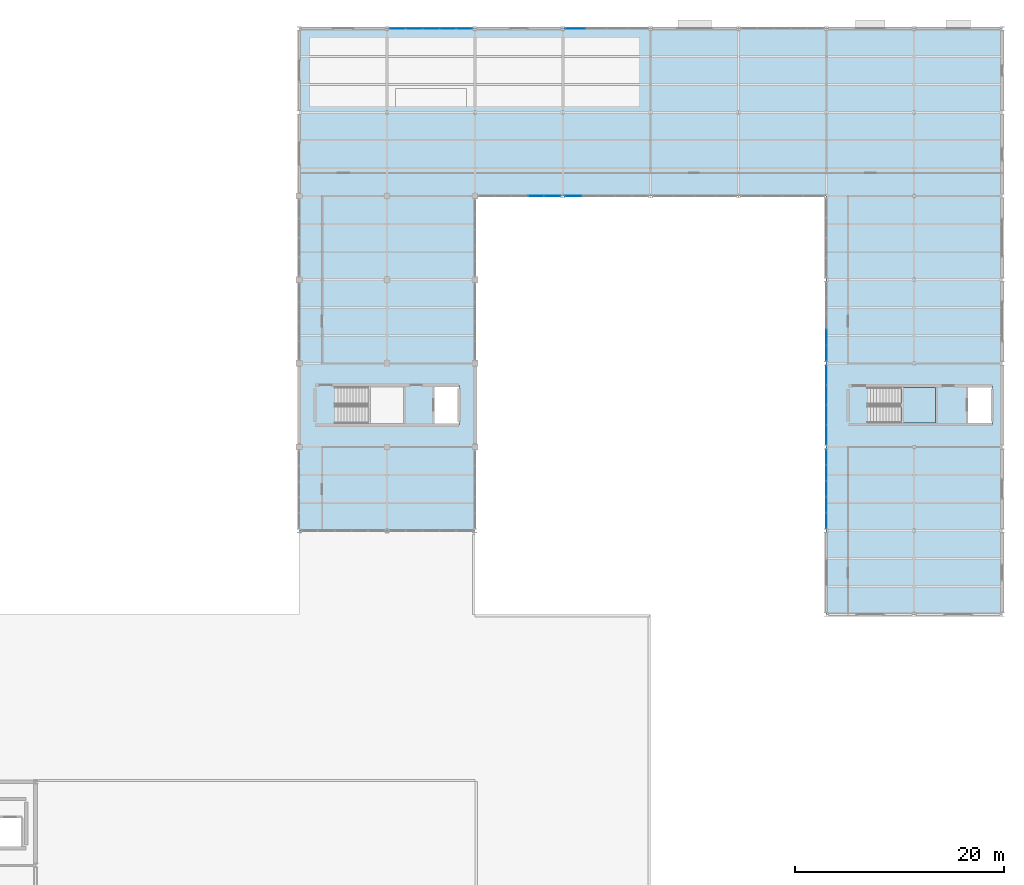
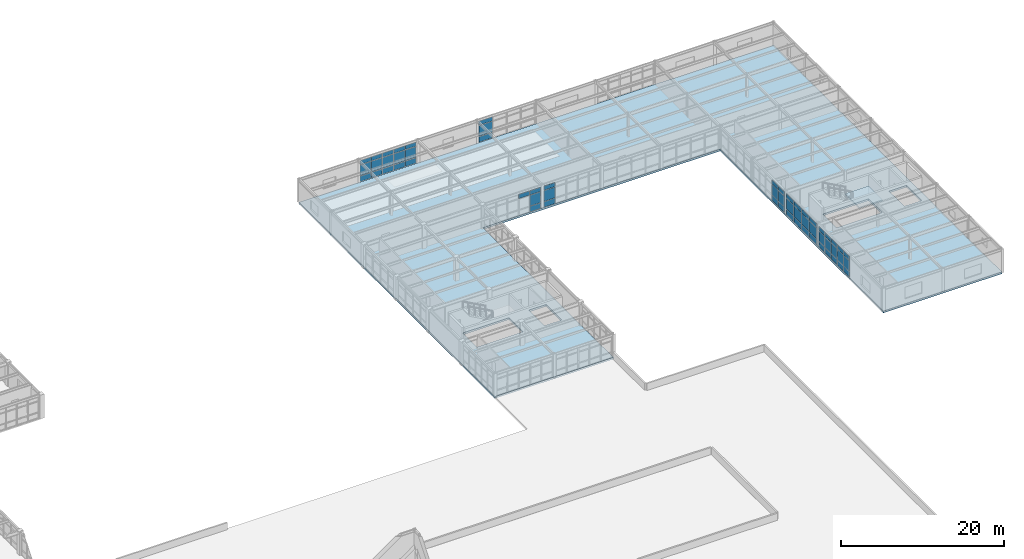
# One storey, part 42 of 96: 58 plates, 2 slabs, 8 elements without a shape of their own.
"""IFC4 building model written with IfcOpenShell, lengths in metres."""

from ifc_helpers import new_model, si_unit, direction, frame, origin, origin_2d, place, context, subcontext, project, spatial, polyline, rectangle, outline, extrude, material, layer, layer_set, type_object, element, aggregate, save


model = new_model("IFC4")

# Units and contexts
model_context = context("Model", 3, precision=1e-05, world=origin(), true_north=direction((0.0, 1.0)))
body_context = subcontext(model_context, "Body", "Model", "MODEL_VIEW")
ifc_project = project(units=[si_unit("LENGTHUNIT", "METRE"), si_unit("AREAUNIT", "SQUARE_METRE"), si_unit("VOLUMEUNIT", "CUBIC_METRE"), si_unit("PLANEANGLEUNIT", "RADIAN"), si_unit("MASSUNIT", "GRAM", prefix="KILO")], contexts=[model_context])

# Site, building, storey
site_placement = place(None, origin())
site = spatial("IfcSite", under=ifc_project, at=site_placement, CompositionType="ELEMENT")
building_placement = place(site_placement, origin())
building = spatial("IfcBuilding", under=site, at=building_placement, Name="Kranzveld Transit Interchange", CompositionType="ELEMENT")
storey_placement = place(building_placement, frame((0.0, 0.0, 9.52001953125)))
storey = spatial("IfcBuildingStorey", under=building, at=storey_placement, Name="L02", CompositionType="ELEMENT", Elevation=9.52001953125)

# Slab
ifc_material_1 = material(Name="Concrete C35/45", Category="concrete")
ifc_layer_1 = layer(ifc_material_1, 0.280029296875)
ifc_layer_set_1 = layer_set([ifc_layer_1], Name="Concrete C35/45")
slab_type_1 = type_object("IfcSlabType", Name="Composite Floor Slab 280 C35/45", PredefinedType="FLOOR", material=ifc_layer_set_1)
slab_1_placement = place(storey_placement, frame((0.0, 0.0, -0.280029296875)))
element("IfcSlab", 1, at=slab_1_placement, inside=storey, type_object=slab_type_1, Name="L02 Suspended Floor Slab 2", PredefinedType="FLOOR", context=body_context, shape_type="SweptSolid", body=[
    extrude(outline(polyline([(151.199951171875, 56.0), (151.199951171875, 96.0), (117.60009765625, 96.0), (117.60009765625, 64.0), (100.800048828125, 64.0), (100.800048828125, 112.0), (117.60009765625, 112.0), (168.0, 112.0), (168.0, 96.0), (168.0, 56.0), (151.199951171875, 56.0)]), holes=[polyline([(110.75, 74.27001953125), (110.75, 77.72998046875), (104.218017578125, 77.72998046875), (104.218017578125, 74.27001953125), (110.75, 74.27001953125)]), polyline([(116.10009765625, 77.909912109375), (113.64990234375, 77.909912109375), (113.64990234375, 74.090087890625), (116.10009765625, 74.090087890625), (116.10009765625, 77.909912109375)]), polyline([(161.64990234375, 74.320068359375), (161.64990234375, 77.679931640625), (155.16796875, 77.679931640625), (155.16796875, 74.320068359375), (161.64990234375, 74.320068359375)]), polyline([(167.10009765625, 77.860107421875), (164.64990234375, 77.860107421875), (164.64990234375, 74.139892578125), (167.10009765625, 74.139892578125), (167.10009765625, 77.860107421875)])]), origin(), (0.0, 0.0, 1.0), 0.280029296875),
])

# Curtain wall, plates
ifc_material_2 = material(Name="Bronze-anodised thermally broken aluminium", Category="aluminium")
ifc_layer_2 = layer(ifc_material_2, 0.159912109375)
ifc_layer_set_2 = layer_set([ifc_layer_2], Name="Bronze-anodised thermally broken aluminium")
curtain_wall_type_1 = type_object("IfcCurtainWallType", Name="Bus Boarding Glazed Screen CW-3", PredefinedType="USERDEFINED", material=ifc_layer_set_2)
curtain_wall_1_placement = place(storey_placement, origin())
curtain_wall_1 = element("IfcCurtainWall", 2, at=curtain_wall_1_placement, inside=storey, type_object=curtain_wall_type_1, Name="L02 Curtain Wall 19/K-19/L", ObjectType="CURTAIN WALL", PredefinedType="USERDEFINED")
ifc_material_3 = material(Name="Solar-control double glazing", Category="glass")
ifc_layer_3 = layer(ifc_material_3, 0.031982421875)
ifc_layer_set_3 = layer_set([ifc_layer_3], Name="Solar-control double glazing")
plate_type_1 = type_object("IfcPlateType", Name="Curtain Panel Acoustic Glazing 32", PredefinedType="CURTAIN_PANEL", material=ifc_layer_set_3)
plate_1_placement = place(storey_placement, frame((151.199951171875, 73.155517578125, 0.06005859375), z_axis=(0.0, 0.0, 1.0), x_axis=(0.0, 1.0, 0.0)))
plate_1 = element("IfcPlate", 3, at=plate_1_placement, type_object=plate_type_1, Name="CW-3 panel 1.1", PredefinedType="CURTAIN_PANEL", context=body_context, shape_type="SweptSolid", body=[
    extrude(rectangle(XDim=1.81640625, YDim=0.031982421875, at=origin_2d()), origin(), (0.0, 0.0, 1.0), 0.81005859375),
])
plate_2_placement = place(storey_placement, frame((151.199951171875, 73.155517578125, 0.9296875), z_axis=(0.0, 0.0, 1.0), x_axis=(0.0, 1.0, 0.0)))
plate_2 = element("IfcPlate", 4, at=plate_2_placement, type_object=plate_type_1, Name="CW-3 panel 1.2", PredefinedType="CURTAIN_PANEL", context=body_context, shape_type="SweptSolid", body=[
    extrude(rectangle(XDim=1.81640625, YDim=0.031982421875, at=origin_2d()), origin(), (0.0, 0.0, 1.0), 1.610107421875),
])
plate_3_placement = place(storey_placement, frame((151.199951171875, 73.155517578125, 2.60009765625), z_axis=(0.0, 0.0, 1.0), x_axis=(0.0, 1.0, 0.0)))
plate_3 = element("IfcPlate", 5, at=plate_3_placement, type_object=plate_type_1, Name="CW-3 panel 1.3", PredefinedType="CURTAIN_PANEL", context=body_context, shape_type="SweptSolid", body=[
    extrude(rectangle(XDim=1.81640625, YDim=0.031982421875, at=origin_2d()), origin(), (0.0, 0.0, 1.0), 0.610107421875),
])
plate_4_placement = place(storey_placement, frame((151.199951171875, 75.046875, 0.06005859375), z_axis=(0.0, 0.0, 1.0), x_axis=(0.0, 1.0, 0.0)))
plate_4 = element("IfcPlate", 6, at=plate_4_placement, type_object=plate_type_1, Name="CW-3 panel 2.1", PredefinedType="CURTAIN_PANEL", context=body_context, shape_type="SweptSolid", body=[
    extrude(rectangle(XDim=1.846435546875, YDim=0.031982421875, at=origin_2d()), origin(), (0.0, 0.0, 1.0), 0.81005859375),
])
plate_5_placement = place(storey_placement, frame((151.199951171875, 75.046875, 0.9296875), z_axis=(0.0, 0.0, 1.0), x_axis=(0.0, 1.0, 0.0)))
plate_5 = element("IfcPlate", 7, at=plate_5_placement, type_object=plate_type_1, Name="CW-3 panel 2.2", PredefinedType="CURTAIN_PANEL", context=body_context, shape_type="SweptSolid", body=[
    extrude(rectangle(XDim=1.846435546875, YDim=0.031982421875, at=origin_2d()), origin(), (0.0, 0.0, 1.0), 1.610107421875),
])
plate_6_placement = place(storey_placement, frame((151.199951171875, 75.046875, 2.60009765625), z_axis=(0.0, 0.0, 1.0), x_axis=(0.0, 1.0, 0.0)))
plate_6 = element("IfcPlate", 8, at=plate_6_placement, type_object=plate_type_1, Name="CW-3 panel 2.3", PredefinedType="CURTAIN_PANEL", context=body_context, shape_type="SweptSolid", body=[
    extrude(rectangle(XDim=1.846435546875, YDim=0.031982421875, at=origin_2d()), origin(), (0.0, 0.0, 1.0), 0.610107421875),
])
plate_7_placement = place(storey_placement, frame((151.199951171875, 76.953125, 0.06005859375), z_axis=(0.0, 0.0, 1.0), x_axis=(0.0, 1.0, 0.0)))
plate_7 = element("IfcPlate", 9, at=plate_7_placement, type_object=plate_type_1, Name="CW-3 panel 3.1", PredefinedType="CURTAIN_PANEL", context=body_context, shape_type="SweptSolid", body=[
    extrude(rectangle(XDim=1.846435546875, YDim=0.031982421875, at=origin_2d()), origin(), (0.0, 0.0, 1.0), 0.81005859375),
])
plate_8_placement = place(storey_placement, frame((151.199951171875, 76.953125, 0.9296875), z_axis=(0.0, 0.0, 1.0), x_axis=(0.0, 1.0, 0.0)))
plate_8 = element("IfcPlate", 10, at=plate_8_placement, type_object=plate_type_1, Name="CW-3 panel 3.2", PredefinedType="CURTAIN_PANEL", context=body_context, shape_type="SweptSolid", body=[
    extrude(rectangle(XDim=1.846435546875, YDim=0.031982421875, at=origin_2d()), origin(), (0.0, 0.0, 1.0), 1.610107421875),
])
plate_9_placement = place(storey_placement, frame((151.199951171875, 76.953125, 2.60009765625), z_axis=(0.0, 0.0, 1.0), x_axis=(0.0, 1.0, 0.0)))
plate_9 = element("IfcPlate", 11, at=plate_9_placement, type_object=plate_type_1, Name="CW-3 panel 3.3", PredefinedType="CURTAIN_PANEL", context=body_context, shape_type="SweptSolid", body=[
    extrude(rectangle(XDim=1.846435546875, YDim=0.031982421875, at=origin_2d()), origin(), (0.0, 0.0, 1.0), 0.610107421875),
])
plate_10_placement = place(storey_placement, frame((151.199951171875, 78.844482421875, 0.06005859375), z_axis=(0.0, 0.0, 1.0), x_axis=(0.0, 1.0, 0.0)))
plate_10 = element("IfcPlate", 12, at=plate_10_placement, type_object=plate_type_1, Name="CW-3 panel 4.1", PredefinedType="CURTAIN_PANEL", context=body_context, shape_type="SweptSolid", body=[
    extrude(rectangle(XDim=1.81640625, YDim=0.031982421875, at=origin_2d()), origin(), (0.0, 0.0, 1.0), 0.81005859375),
])
plate_11_placement = place(storey_placement, frame((151.199951171875, 78.844482421875, 0.9296875), z_axis=(0.0, 0.0, 1.0), x_axis=(0.0, 1.0, 0.0)))
plate_11 = element("IfcPlate", 13, at=plate_11_placement, type_object=plate_type_1, Name="CW-3 panel 4.2", PredefinedType="CURTAIN_PANEL", context=body_context, shape_type="SweptSolid", body=[
    extrude(rectangle(XDim=1.81640625, YDim=0.031982421875, at=origin_2d()), origin(), (0.0, 0.0, 1.0), 1.610107421875),
])
plate_12_placement = place(storey_placement, frame((151.199951171875, 78.844482421875, 2.60009765625), z_axis=(0.0, 0.0, 1.0), x_axis=(0.0, 1.0, 0.0)))
plate_12 = element("IfcPlate", 14, at=plate_12_placement, type_object=plate_type_1, Name="CW-3 panel 4.3", PredefinedType="CURTAIN_PANEL", context=body_context, shape_type="SweptSolid", body=[
    extrude(rectangle(XDim=1.81640625, YDim=0.031982421875, at=origin_2d()), origin(), (0.0, 0.0, 1.0), 0.610107421875),
])
aggregate(curtain_wall_1, [plate_1, plate_2, plate_3, plate_4, plate_5, plate_6, plate_7, plate_8, plate_9, plate_10, plate_11, plate_12])

curtain_wall_2_placement = place(storey_placement, origin())
curtain_wall_2 = element("IfcCurtainWall", 15, at=curtain_wall_2_placement, inside=storey, type_object=curtain_wall_type_1, Name="L02 Curtain Wall 16/Q-17/Q", ObjectType="CURTAIN WALL", PredefinedType="USERDEFINED")
plate_13_placement = place(storey_placement, frame((127.20556640625, 112.0, 0.06005859375), z_axis=(0.0, 0.0, 1.0), x_axis=(1.0, 0.0, 0.0)))
plate_13 = element("IfcPlate", 16, at=plate_13_placement, type_object=plate_type_1, Name="CW-3 panel 1.1", PredefinedType="CURTAIN_PANEL", context=body_context, shape_type="SweptSolid", body=[
    extrude(rectangle(XDim=1.916259765625, YDim=0.031982421875, at=origin_2d()), origin(), (0.0, 0.0, 1.0), 0.81005859375),
])
plate_14_placement = place(storey_placement, frame((127.20556640625, 112.0, 0.9296875), z_axis=(0.0, 0.0, 1.0), x_axis=(1.0, 0.0, 0.0)))
plate_14 = element("IfcPlate", 17, at=plate_14_placement, type_object=plate_type_1, Name="CW-3 panel 1.2", PredefinedType="CURTAIN_PANEL", context=body_context, shape_type="SweptSolid", body=[
    extrude(rectangle(XDim=1.916259765625, YDim=0.031982421875, at=origin_2d()), origin(), (0.0, 0.0, 1.0), 1.610107421875),
])
plate_15_placement = place(storey_placement, frame((127.20556640625, 112.0, 2.60009765625), z_axis=(0.0, 0.0, 1.0), x_axis=(1.0, 0.0, 0.0)))
plate_15 = element("IfcPlate", 18, at=plate_15_placement, type_object=plate_type_1, Name="CW-3 panel 1.3", PredefinedType="CURTAIN_PANEL", context=body_context, shape_type="SweptSolid", body=[
    extrude(rectangle(XDim=1.916259765625, YDim=0.031982421875, at=origin_2d()), origin(), (0.0, 0.0, 1.0), 0.610107421875),
])
aggregate(curtain_wall_2, [plate_13, plate_14, plate_15])

ifc_material_4 = material(Name="Bronze-anodised thermally broken aluminium", Category="aluminium")
ifc_layer_4 = layer(ifc_material_4, 0.1650390625)
ifc_layer_set_4 = layer_set([ifc_layer_4], Name="Bronze-anodised thermally broken aluminium")
curtain_wall_type_2 = type_object("IfcCurtainWallType", Name="Sunny Court Arcade Curtain Wall CW-2", PredefinedType="USERDEFINED", material=ifc_layer_set_4)
curtain_wall_3_placement = place(storey_placement, origin())
curtain_wall_3 = element("IfcCurtainWall", 19, at=curtain_wall_3_placement, inside=storey, type_object=curtain_wall_type_2, Name="L02 Curtain Wall 19/J-19/K", ObjectType="CURTAIN WALL", PredefinedType="USERDEFINED")
ifc_material_5 = material(Name="Solar-control double glazing", Category="glass")
ifc_layer_5 = layer(ifc_material_5, 0.02392578125)
ifc_layer_set_5 = layer_set([ifc_layer_5], Name="Solar-control double glazing")
plate_type_2 = type_object("IfcPlateType", Name="Curtain Panel Clear Glazing 24", PredefinedType="CURTAIN_PANEL", material=ifc_layer_set_5)
plate_16_placement = place(storey_placement, frame((151.199951171875, 64.966064453125, 0.06005859375), z_axis=(0.0, 0.0, 1.0), x_axis=(0.0, 1.0, 0.0)))
plate_16 = element("IfcPlate", 20, at=plate_16_placement, type_object=plate_type_2, Name="CW-2 panel 1.1", PredefinedType="CURTAIN_PANEL", context=body_context, shape_type="SweptSolid", body=[
    extrude(rectangle(XDim=1.427490234375, YDim=0.02392578125, at=origin_2d()), origin(), (0.0, 0.0, 1.0), 0.81005859375),
])
plate_17_placement = place(storey_placement, frame((151.199951171875, 64.966064453125, 0.929931640625), z_axis=(0.0, 0.0, 1.0), x_axis=(0.0, 1.0, 0.0)))
plate_17 = element("IfcPlate", 21, at=plate_17_placement, type_object=plate_type_2, Name="CW-2 panel 1.2", PredefinedType="CURTAIN_PANEL", context=body_context, shape_type="SweptSolid", body=[
    extrude(rectangle(XDim=1.427490234375, YDim=0.02392578125, at=origin_2d()), origin(), (0.0, 0.0, 1.0), 1.55859375),
])
plate_18_placement = place(storey_placement, frame((151.199951171875, 64.966064453125, 2.54833984375), z_axis=(0.0, 0.0, 1.0), x_axis=(0.0, 1.0, 0.0)))
plate_18 = element("IfcPlate", 22, at=plate_18_placement, type_object=plate_type_2, Name="CW-2 panel 1.3", PredefinedType="CURTAIN_PANEL", context=body_context, shape_type="SweptSolid", body=[
    extrude(rectangle(XDim=1.427490234375, YDim=0.02392578125, at=origin_2d()), origin(), (0.0, 0.0, 1.0), 0.610107421875),
])
plate_19_placement = place(storey_placement, frame((151.199951171875, 66.474853515625, 0.06005859375), z_axis=(0.0, 0.0, 1.0), x_axis=(0.0, 1.0, 0.0)))
plate_19 = element("IfcPlate", 23, at=plate_19_placement, type_object=plate_type_2, Name="CW-2 panel 2.1", PredefinedType="CURTAIN_PANEL", context=body_context, shape_type="SweptSolid", body=[
    extrude(rectangle(XDim=1.4599609375, YDim=0.02392578125, at=origin_2d()), origin(), (0.0, 0.0, 1.0), 0.81005859375),
])
plate_20_placement = place(storey_placement, frame((151.199951171875, 66.474853515625, 0.929931640625), z_axis=(0.0, 0.0, 1.0), x_axis=(0.0, 1.0, 0.0)))
plate_20 = element("IfcPlate", 24, at=plate_20_placement, type_object=plate_type_2, Name="CW-2 panel 2.2", PredefinedType="CURTAIN_PANEL", context=body_context, shape_type="SweptSolid", body=[
    extrude(rectangle(XDim=1.4599609375, YDim=0.02392578125, at=origin_2d()), origin(), (0.0, 0.0, 1.0), 1.55859375),
])
plate_21_placement = place(storey_placement, frame((151.199951171875, 66.474853515625, 2.54833984375), z_axis=(0.0, 0.0, 1.0), x_axis=(0.0, 1.0, 0.0)))
plate_21 = element("IfcPlate", 25, at=plate_21_placement, type_object=plate_type_2, Name="CW-2 panel 2.3", PredefinedType="CURTAIN_PANEL", context=body_context, shape_type="SweptSolid", body=[
    extrude(rectangle(XDim=1.4599609375, YDim=0.02392578125, at=origin_2d()), origin(), (0.0, 0.0, 1.0), 0.610107421875),
])
plate_22_placement = place(storey_placement, frame((151.199951171875, 68.0, 0.06005859375), z_axis=(0.0, 0.0, 1.0), x_axis=(0.0, 1.0, 0.0)))
plate_22 = element("IfcPlate", 26, at=plate_22_placement, type_object=plate_type_2, Name="CW-2 panel 3.1", PredefinedType="CURTAIN_PANEL", context=body_context, shape_type="SweptSolid", body=[
    extrude(rectangle(XDim=1.4599609375, YDim=0.02392578125, at=origin_2d()), origin(), (0.0, 0.0, 1.0), 0.81005859375),
])
plate_23_placement = place(storey_placement, frame((151.199951171875, 68.0, 0.929931640625), z_axis=(0.0, 0.0, 1.0), x_axis=(0.0, 1.0, 0.0)))
plate_23 = element("IfcPlate", 27, at=plate_23_placement, type_object=plate_type_2, Name="CW-2 panel 3.2", PredefinedType="CURTAIN_PANEL", context=body_context, shape_type="SweptSolid", body=[
    extrude(rectangle(XDim=1.4599609375, YDim=0.02392578125, at=origin_2d()), origin(), (0.0, 0.0, 1.0), 1.55859375),
])
plate_24_placement = place(storey_placement, frame((151.199951171875, 68.0, 2.54833984375), z_axis=(0.0, 0.0, 1.0), x_axis=(0.0, 1.0, 0.0)))
plate_24 = element("IfcPlate", 28, at=plate_24_placement, type_object=plate_type_2, Name="CW-2 panel 3.3", PredefinedType="CURTAIN_PANEL", context=body_context, shape_type="SweptSolid", body=[
    extrude(rectangle(XDim=1.4599609375, YDim=0.02392578125, at=origin_2d()), origin(), (0.0, 0.0, 1.0), 0.610107421875),
])
plate_25_placement = place(storey_placement, frame((151.199951171875, 69.525146484375, 0.06005859375), z_axis=(0.0, 0.0, 1.0), x_axis=(0.0, 1.0, 0.0)))
plate_25 = element("IfcPlate", 29, at=plate_25_placement, type_object=plate_type_2, Name="CW-2 panel 4.1", PredefinedType="CURTAIN_PANEL", context=body_context, shape_type="SweptSolid", body=[
    extrude(rectangle(XDim=1.4599609375, YDim=0.02392578125, at=origin_2d()), origin(), (0.0, 0.0, 1.0), 0.81005859375),
])
plate_26_placement = place(storey_placement, frame((151.199951171875, 69.525146484375, 0.929931640625), z_axis=(0.0, 0.0, 1.0), x_axis=(0.0, 1.0, 0.0)))
plate_26 = element("IfcPlate", 30, at=plate_26_placement, type_object=plate_type_2, Name="CW-2 panel 4.2", PredefinedType="CURTAIN_PANEL", context=body_context, shape_type="SweptSolid", body=[
    extrude(rectangle(XDim=1.4599609375, YDim=0.02392578125, at=origin_2d()), origin(), (0.0, 0.0, 1.0), 1.55859375),
])
plate_27_placement = place(storey_placement, frame((151.199951171875, 69.525146484375, 2.54833984375), z_axis=(0.0, 0.0, 1.0), x_axis=(0.0, 1.0, 0.0)))
plate_27 = element("IfcPlate", 31, at=plate_27_placement, type_object=plate_type_2, Name="CW-2 panel 4.3", PredefinedType="CURTAIN_PANEL", context=body_context, shape_type="SweptSolid", body=[
    extrude(rectangle(XDim=1.4599609375, YDim=0.02392578125, at=origin_2d()), origin(), (0.0, 0.0, 1.0), 0.610107421875),
])
plate_28_placement = place(storey_placement, frame((151.199951171875, 71.033935546875, 0.06005859375), z_axis=(0.0, 0.0, 1.0), x_axis=(0.0, 1.0, 0.0)))
plate_28 = element("IfcPlate", 32, at=plate_28_placement, type_object=plate_type_2, Name="CW-2 panel 5.1", PredefinedType="CURTAIN_PANEL", context=body_context, shape_type="SweptSolid", body=[
    extrude(rectangle(XDim=1.427490234375, YDim=0.02392578125, at=origin_2d()), origin(), (0.0, 0.0, 1.0), 0.81005859375),
])
plate_29_placement = place(storey_placement, frame((151.199951171875, 71.033935546875, 0.929931640625), z_axis=(0.0, 0.0, 1.0), x_axis=(0.0, 1.0, 0.0)))
plate_29 = element("IfcPlate", 33, at=plate_29_placement, type_object=plate_type_2, Name="CW-2 panel 5.2", PredefinedType="CURTAIN_PANEL", context=body_context, shape_type="SweptSolid", body=[
    extrude(rectangle(XDim=1.427490234375, YDim=0.02392578125, at=origin_2d()), origin(), (0.0, 0.0, 1.0), 1.55859375),
])
plate_30_placement = place(storey_placement, frame((151.199951171875, 71.033935546875, 2.54833984375), z_axis=(0.0, 0.0, 1.0), x_axis=(0.0, 1.0, 0.0)))
plate_30 = element("IfcPlate", 34, at=plate_30_placement, type_object=plate_type_2, Name="CW-2 panel 5.3", PredefinedType="CURTAIN_PANEL", context=body_context, shape_type="SweptSolid", body=[
    extrude(rectangle(XDim=1.427490234375, YDim=0.02392578125, at=origin_2d()), origin(), (0.0, 0.0, 1.0), 0.610107421875),
])
aggregate(curtain_wall_3, [plate_16, plate_17, plate_18, plate_19, plate_20, plate_21, plate_22, plate_23, plate_24, plate_25, plate_26, plate_27, plate_28, plate_29, plate_30])

curtain_wall_4_placement = place(storey_placement, origin())
curtain_wall_4 = element("IfcCurtainWall", 35, at=curtain_wall_4_placement, inside=storey, type_object=curtain_wall_type_2, Name="L02 Curtain Wall 14/Q-15/Q", ObjectType="CURTAIN WALL", PredefinedType="USERDEFINED")
plate_31_placement = place(storey_placement, frame((110.2060546875, 112.0, 0.06005859375), z_axis=(0.0, 0.0, 1.0), x_axis=(1.0, 0.0, 0.0)))
plate_31 = element("IfcPlate", 36, at=plate_31_placement, type_object=plate_type_2, Name="CW-2 panel 1.1", PredefinedType="CURTAIN_PANEL", context=body_context, shape_type="SweptSolid", body=[
    extrude(rectangle(XDim=1.507568359375, YDim=0.02392578125, at=origin_2d()), origin(), (0.0, 0.0, 1.0), 0.81005859375),
])
plate_32_placement = place(storey_placement, frame((110.2060546875, 112.0, 0.9296875), z_axis=(0.0, 0.0, 1.0), x_axis=(1.0, 0.0, 0.0)))
plate_32 = element("IfcPlate", 37, at=plate_32_placement, type_object=plate_type_2, Name="CW-2 panel 1.2", PredefinedType="CURTAIN_PANEL", context=body_context, shape_type="SweptSolid", body=[
    extrude(rectangle(XDim=1.507568359375, YDim=0.02392578125, at=origin_2d()), origin(), (0.0, 0.0, 1.0), 1.610107421875),
])
plate_33_placement = place(storey_placement, frame((110.2060546875, 112.0, 2.60009765625), z_axis=(0.0, 0.0, 1.0), x_axis=(1.0, 0.0, 0.0)))
plate_33 = element("IfcPlate", 38, at=plate_33_placement, type_object=plate_type_2, Name="CW-2 panel 1.3", PredefinedType="CURTAIN_PANEL", context=body_context, shape_type="SweptSolid", body=[
    extrude(rectangle(XDim=1.507568359375, YDim=0.02392578125, at=origin_2d()), origin(), (0.0, 0.0, 1.0), 0.610107421875),
])
plate_34_placement = place(storey_placement, frame((111.794921875, 112.0, 0.06005859375), z_axis=(0.0, 0.0, 1.0), x_axis=(1.0, 0.0, 0.0)))
plate_34 = element("IfcPlate", 39, at=plate_34_placement, type_object=plate_type_2, Name="CW-2 panel 2.1", PredefinedType="CURTAIN_PANEL", context=body_context, shape_type="SweptSolid", body=[
    extrude(rectangle(XDim=1.5400390625, YDim=0.02392578125, at=origin_2d()), origin(), (0.0, 0.0, 1.0), 0.81005859375),
])
plate_35_placement = place(storey_placement, frame((111.794921875, 112.0, 0.9296875), z_axis=(0.0, 0.0, 1.0), x_axis=(1.0, 0.0, 0.0)))
plate_35 = element("IfcPlate", 40, at=plate_35_placement, type_object=plate_type_2, Name="CW-2 panel 2.2", PredefinedType="CURTAIN_PANEL", context=body_context, shape_type="SweptSolid", body=[
    extrude(rectangle(XDim=1.5400390625, YDim=0.02392578125, at=origin_2d()), origin(), (0.0, 0.0, 1.0), 1.610107421875),
])
plate_36_placement = place(storey_placement, frame((111.794921875, 112.0, 2.60009765625), z_axis=(0.0, 0.0, 1.0), x_axis=(1.0, 0.0, 0.0)))
plate_36 = element("IfcPlate", 41, at=plate_36_placement, type_object=plate_type_2, Name="CW-2 panel 2.3", PredefinedType="CURTAIN_PANEL", context=body_context, shape_type="SweptSolid", body=[
    extrude(rectangle(XDim=1.5400390625, YDim=0.02392578125, at=origin_2d()), origin(), (0.0, 0.0, 1.0), 0.610107421875),
])
plate_37_placement = place(storey_placement, frame((113.39990234375, 112.0, 0.06005859375), z_axis=(0.0, 0.0, 1.0), x_axis=(1.0, 0.0, 0.0)))
plate_37 = element("IfcPlate", 42, at=plate_37_placement, type_object=plate_type_2, Name="CW-2 panel 3.1", PredefinedType="CURTAIN_PANEL", context=body_context, shape_type="SweptSolid", body=[
    extrude(rectangle(XDim=1.5400390625, YDim=0.02392578125, at=origin_2d()), origin(), (0.0, 0.0, 1.0), 0.81005859375),
])
plate_38_placement = place(storey_placement, frame((113.39990234375, 112.0, 0.9296875), z_axis=(0.0, 0.0, 1.0), x_axis=(1.0, 0.0, 0.0)))
plate_38 = element("IfcPlate", 43, at=plate_38_placement, type_object=plate_type_2, Name="CW-2 panel 3.2", PredefinedType="CURTAIN_PANEL", context=body_context, shape_type="SweptSolid", body=[
    extrude(rectangle(XDim=1.5400390625, YDim=0.02392578125, at=origin_2d()), origin(), (0.0, 0.0, 1.0), 1.610107421875),
])
plate_39_placement = place(storey_placement, frame((113.39990234375, 112.0, 2.60009765625), z_axis=(0.0, 0.0, 1.0), x_axis=(1.0, 0.0, 0.0)))
plate_39 = element("IfcPlate", 44, at=plate_39_placement, type_object=plate_type_2, Name="CW-2 panel 3.3", PredefinedType="CURTAIN_PANEL", context=body_context, shape_type="SweptSolid", body=[
    extrude(rectangle(XDim=1.5400390625, YDim=0.02392578125, at=origin_2d()), origin(), (0.0, 0.0, 1.0), 0.610107421875),
])
plate_40_placement = place(storey_placement, frame((115.005126953125, 112.0, 0.06005859375), z_axis=(0.0, 0.0, 1.0), x_axis=(1.0, 0.0, 0.0)))
plate_40 = element("IfcPlate", 45, at=plate_40_placement, type_object=plate_type_2, Name="CW-2 panel 4.1", PredefinedType="CURTAIN_PANEL", context=body_context, shape_type="SweptSolid", body=[
    extrude(rectangle(XDim=1.5400390625, YDim=0.02392578125, at=origin_2d()), origin(), (0.0, 0.0, 1.0), 0.81005859375),
])
plate_41_placement = place(storey_placement, frame((115.005126953125, 112.0, 0.9296875), z_axis=(0.0, 0.0, 1.0), x_axis=(1.0, 0.0, 0.0)))
plate_41 = element("IfcPlate", 46, at=plate_41_placement, type_object=plate_type_2, Name="CW-2 panel 4.2", PredefinedType="CURTAIN_PANEL", context=body_context, shape_type="SweptSolid", body=[
    extrude(rectangle(XDim=1.5400390625, YDim=0.02392578125, at=origin_2d()), origin(), (0.0, 0.0, 1.0), 1.610107421875),
])
plate_42_placement = place(storey_placement, frame((115.005126953125, 112.0, 2.60009765625), z_axis=(0.0, 0.0, 1.0), x_axis=(1.0, 0.0, 0.0)))
plate_42 = element("IfcPlate", 47, at=plate_42_placement, type_object=plate_type_2, Name="CW-2 panel 4.3", PredefinedType="CURTAIN_PANEL", context=body_context, shape_type="SweptSolid", body=[
    extrude(rectangle(XDim=1.5400390625, YDim=0.02392578125, at=origin_2d()), origin(), (0.0, 0.0, 1.0), 0.610107421875),
])
plate_43_placement = place(storey_placement, frame((116.593994140625, 112.0, 0.06005859375), z_axis=(0.0, 0.0, 1.0), x_axis=(1.0, 0.0, 0.0)))
plate_43 = element("IfcPlate", 48, at=plate_43_placement, type_object=plate_type_2, Name="CW-2 panel 5.1", PredefinedType="CURTAIN_PANEL", context=body_context, shape_type="SweptSolid", body=[
    extrude(rectangle(XDim=1.507568359375, YDim=0.02392578125, at=origin_2d()), origin(), (0.0, 0.0, 1.0), 0.81005859375),
])
plate_44_placement = place(storey_placement, frame((116.593994140625, 112.0, 0.9296875), z_axis=(0.0, 0.0, 1.0), x_axis=(1.0, 0.0, 0.0)))
plate_44 = element("IfcPlate", 49, at=plate_44_placement, type_object=plate_type_2, Name="CW-2 panel 5.2", PredefinedType="CURTAIN_PANEL", context=body_context, shape_type="SweptSolid", body=[
    extrude(rectangle(XDim=1.507568359375, YDim=0.02392578125, at=origin_2d()), origin(), (0.0, 0.0, 1.0), 1.610107421875),
])
plate_45_placement = place(storey_placement, frame((116.593994140625, 112.0, 2.60009765625), z_axis=(0.0, 0.0, 1.0), x_axis=(1.0, 0.0, 0.0)))
plate_45 = element("IfcPlate", 50, at=plate_45_placement, type_object=plate_type_2, Name="CW-2 panel 5.3", PredefinedType="CURTAIN_PANEL", context=body_context, shape_type="SweptSolid", body=[
    extrude(rectangle(XDim=1.507568359375, YDim=0.02392578125, at=origin_2d()), origin(), (0.0, 0.0, 1.0), 0.610107421875),
])
aggregate(curtain_wall_4, [plate_31, plate_32, plate_33, plate_34, plate_35, plate_36, plate_37, plate_38, plate_39, plate_40, plate_41, plate_42, plate_43, plate_44, plate_45])

ifc_material_6 = material(Name="Bronze-anodised thermally broken aluminium", Category="aluminium")
ifc_layer_6 = layer(ifc_material_6, 0.14990234375)
ifc_layer_set_6 = layer_set([ifc_layer_6], Name="Bronze-anodised thermally broken aluminium")
curtain_wall_type_3 = type_object("IfcCurtainWallType", Name="Public Passage Clerestory Screen CW-4", PredefinedType="USERDEFINED", material=ifc_layer_set_6)
curtain_wall_5_placement = place(storey_placement, origin())
curtain_wall_5 = element("IfcCurtainWall", 51, at=curtain_wall_5_placement, inside=storey, type_object=curtain_wall_type_3, Name="L02 Curtain Wall 19/L-19/M", ObjectType="CURTAIN WALL", PredefinedType="USERDEFINED")
ifc_material_7 = material(Name="Solar-control double glazing", Category="glass")
ifc_layer_7 = layer(ifc_material_7, 0.0419921875)
ifc_layer_set_7 = layer_set([ifc_layer_7], Name="Solar-control double glazing")
plate_type_3 = type_object("IfcPlateType", Name="Curtain Panel Laminated Glazing 42", PredefinedType="CURTAIN_PANEL", material=ifc_layer_set_7)
plate_46_placement = place(storey_placement, frame((151.199951171875, 80.96484375, 0.06005859375), z_axis=(0.0, 0.0, 1.0), x_axis=(0.0, 1.0, 0.0)))
plate_46 = element("IfcPlate", 52, at=plate_46_placement, type_object=plate_type_3, Name="CW-4 panel 1.1", PredefinedType="CURTAIN_PANEL", context=body_context, shape_type="SweptSolid", body=[
    extrude(rectangle(XDim=1.43505859375, YDim=0.0419921875, at=origin_2d()), origin(), (0.0, 0.0, 1.0), 0.81005859375),
])
plate_47_placement = place(storey_placement, frame((151.199951171875, 80.96484375, 0.929931640625), z_axis=(0.0, 0.0, 1.0), x_axis=(0.0, 1.0, 0.0)))
plate_47 = element("IfcPlate", 53, at=plate_47_placement, type_object=plate_type_3, Name="CW-4 panel 1.2", PredefinedType="CURTAIN_PANEL", context=body_context, shape_type="SweptSolid", body=[
    extrude(rectangle(XDim=1.43505859375, YDim=0.0419921875, at=origin_2d()), origin(), (0.0, 0.0, 1.0), 1.55859375),
])
plate_48_placement = place(storey_placement, frame((151.199951171875, 80.96484375, 2.54833984375), z_axis=(0.0, 0.0, 1.0), x_axis=(0.0, 1.0, 0.0)))
plate_48 = element("IfcPlate", 54, at=plate_48_placement, type_object=plate_type_3, Name="CW-4 panel 1.3", PredefinedType="CURTAIN_PANEL", context=body_context, shape_type="SweptSolid", body=[
    extrude(rectangle(XDim=1.43505859375, YDim=0.0419921875, at=origin_2d()), origin(), (0.0, 0.0, 1.0), 0.610107421875),
])
plate_49_placement = place(storey_placement, frame((151.199951171875, 82.474853515625, 0.06005859375), z_axis=(0.0, 0.0, 1.0), x_axis=(0.0, 1.0, 0.0)))
plate_49 = element("IfcPlate", 55, at=plate_49_placement, type_object=plate_type_3, Name="CW-4 panel 2.1", PredefinedType="CURTAIN_PANEL", context=body_context, shape_type="SweptSolid", body=[
    extrude(rectangle(XDim=1.465087890625, YDim=0.0419921875, at=origin_2d()), origin(), (0.0, 0.0, 1.0), 0.81005859375),
])
plate_50_placement = place(storey_placement, frame((151.199951171875, 82.474853515625, 0.929931640625), z_axis=(0.0, 0.0, 1.0), x_axis=(0.0, 1.0, 0.0)))
plate_50 = element("IfcPlate", 56, at=plate_50_placement, type_object=plate_type_3, Name="CW-4 panel 2.2", PredefinedType="CURTAIN_PANEL", context=body_context, shape_type="SweptSolid", body=[
    extrude(rectangle(XDim=1.465087890625, YDim=0.0419921875, at=origin_2d()), origin(), (0.0, 0.0, 1.0), 1.55859375),
])
plate_51_placement = place(storey_placement, frame((151.199951171875, 82.474853515625, 2.54833984375), z_axis=(0.0, 0.0, 1.0), x_axis=(0.0, 1.0, 0.0)))
plate_51 = element("IfcPlate", 57, at=plate_51_placement, type_object=plate_type_3, Name="CW-4 panel 2.3", PredefinedType="CURTAIN_PANEL", context=body_context, shape_type="SweptSolid", body=[
    extrude(rectangle(XDim=1.465087890625, YDim=0.0419921875, at=origin_2d()), origin(), (0.0, 0.0, 1.0), 0.610107421875),
])
aggregate(curtain_wall_5, [plate_46, plate_47, plate_48, plate_49, plate_50, plate_51])

curtain_wall_6_placement = place(storey_placement, origin())
curtain_wall_6 = element("IfcCurtainWall", 58, at=curtain_wall_6_placement, inside=storey, type_object=curtain_wall_type_2, Name="L02 Curtain Wall 16/N-17/N", ObjectType="CURTAIN WALL", PredefinedType="USERDEFINED")
ifc_material_8 = material(Name="Pretoria red-purple clinker clay face brick, 35 MPa", Category="masonry")
ifc_layer_8 = layer(ifc_material_8, 0.050048828125)
ifc_layer_set_8 = layer_set([ifc_layer_8], Name="Pretoria red-purple clinker clay face brick, 35 MPa")
plate_type_4 = type_object("IfcPlateType", Name="Curtain Spandrel Clinker Tile 50", PredefinedType="CURTAIN_PANEL", material=ifc_layer_set_8)
plate_52_placement = place(storey_placement, frame((127.006103515625, 96.0, 0.06005859375), z_axis=(0.0, 0.0, 1.0), x_axis=(1.0, 0.0, 0.0)))
plate_52 = element("IfcPlate", 59, at=plate_52_placement, type_object=plate_type_4, Name="CW-2 panel 1.1", PredefinedType="CURTAIN_PANEL", context=body_context, shape_type="SweptSolid", body=[
    extrude(rectangle(XDim=1.507568359375, YDim=0.050048828125, at=origin_2d()), origin(), (0.0, 0.0, 1.0), 0.81005859375),
])
plate_53_placement = place(storey_placement, frame((127.006103515625, 96.0, 0.9296875), z_axis=(0.0, 0.0, 1.0), x_axis=(1.0, 0.0, 0.0)))
plate_53 = element("IfcPlate", 60, at=plate_53_placement, type_object=plate_type_4, Name="CW-2 panel 1.2", PredefinedType="CURTAIN_PANEL", context=body_context, shape_type="SweptSolid", body=[
    extrude(rectangle(XDim=1.507568359375, YDim=0.050048828125, at=origin_2d()), origin(), (0.0, 0.0, 1.0), 1.610107421875),
])
plate_54_placement = place(storey_placement, frame((127.006103515625, 96.0, 2.60009765625), z_axis=(0.0, 0.0, 1.0), x_axis=(1.0, 0.0, 0.0)))
plate_54 = element("IfcPlate", 61, at=plate_54_placement, type_object=plate_type_4, Name="CW-2 panel 1.3", PredefinedType="CURTAIN_PANEL", context=body_context, shape_type="SweptSolid", body=[
    extrude(rectangle(XDim=1.507568359375, YDim=0.050048828125, at=origin_2d()), origin(), (0.0, 0.0, 1.0), 0.610107421875),
])
aggregate(curtain_wall_6, [plate_52, plate_53, plate_54])

ifc_material_9 = material(Name="Bronze-anodised thermally broken aluminium", Category="aluminium")
ifc_layer_9 = layer(ifc_material_9, 0.155029296875)
ifc_layer_set_9 = layer_set([ifc_layer_9], Name="Bronze-anodised thermally broken aluminium")
curtain_wall_type_4 = type_object("IfcCurtainWallType", Name="Operations Courtyard Glazed Screen CW-6", PredefinedType="USERDEFINED", material=ifc_layer_set_9)
curtain_wall_7_placement = place(storey_placement, origin())
curtain_wall_7 = element("IfcCurtainWall", 62, at=curtain_wall_7_placement, inside=storey, type_object=curtain_wall_type_4, Name="L02 Curtain Wall 15/N-16/N", ObjectType="CURTAIN WALL", PredefinedType="USERDEFINED")
ifc_material_10 = material(Name="Ochre Pretoria sandstone cladding, 45 MPa", Category="masonry")
ifc_layer_10 = layer(ifc_material_10, 0.0458984375)
ifc_layer_set_10 = layer_set([ifc_layer_10], Name="Ochre Pretoria sandstone cladding, 45 MPa")
plate_type_5 = type_object("IfcPlateType", Name="Curtain Spandrel Sandstone 46", PredefinedType="CURTAIN_PANEL", material=ifc_layer_set_10)
plate_55_placement = place(storey_placement, frame((123.43896484375, 96.0, 2.60009765625), z_axis=(0.0, 0.0, 1.0), x_axis=(1.0, 0.0, 0.0)))
plate_55 = element("IfcPlate", 63, at=plate_55_placement, type_object=plate_type_5, Name="CW-6 panel 4.3", PredefinedType="CURTAIN_PANEL", context=body_context, shape_type="SweptSolid", body=[
    extrude(rectangle(XDim=1.517578125, YDim=0.0458984375, at=origin_2d()), origin(), (0.0, 0.0, 1.0), 0.610107421875),
])
plate_56_placement = place(storey_placement, frame((125.005126953125, 96.0, 0.06005859375), z_axis=(0.0, 0.0, 1.0), x_axis=(1.0, 0.0, 0.0)))
plate_56 = element("IfcPlate", 64, at=plate_56_placement, type_object=plate_type_5, Name="CW-6 panel 5.1", PredefinedType="CURTAIN_PANEL", context=body_context, shape_type="SweptSolid", body=[
    extrude(rectangle(XDim=1.485107421875, YDim=0.0458984375, at=origin_2d()), origin(), (0.0, 0.0, 1.0), 0.81005859375),
])
plate_57_placement = place(storey_placement, frame((125.005126953125, 96.0, 0.9296875), z_axis=(0.0, 0.0, 1.0), x_axis=(1.0, 0.0, 0.0)))
plate_57 = element("IfcPlate", 65, at=plate_57_placement, type_object=plate_type_5, Name="CW-6 panel 5.2", PredefinedType="CURTAIN_PANEL", context=body_context, shape_type="SweptSolid", body=[
    extrude(rectangle(XDim=1.485107421875, YDim=0.0458984375, at=origin_2d()), origin(), (0.0, 0.0, 1.0), 1.610107421875),
])
plate_58_placement = place(storey_placement, frame((125.005126953125, 96.0, 2.60009765625), z_axis=(0.0, 0.0, 1.0), x_axis=(1.0, 0.0, 0.0)))
plate_58 = element("IfcPlate", 66, at=plate_58_placement, type_object=plate_type_5, Name="CW-6 panel 5.3", PredefinedType="CURTAIN_PANEL", context=body_context, shape_type="SweptSolid", body=[
    extrude(rectangle(XDim=1.485107421875, YDim=0.0458984375, at=origin_2d()), origin(), (0.0, 0.0, 1.0), 0.610107421875),
])
aggregate(curtain_wall_7, [plate_55, plate_56, plate_57, plate_58])

# Stair, slab
ifc_material_11 = material(Name="Concrete C35/45", Category="concrete")
stair_type = type_object("IfcStairType", Name="Dogleg Stair 1600W H3840 C35/45", PredefinedType="HALF_TURN_STAIR", material=ifc_material_11)
stair_placement = place(storey_placement, origin())
stair = element("IfcStair", 67, at=stair_placement, inside=storey, type_object=stair_type, Name="L02 Community East Core C4", PredefinedType="HALF_TURN_STAIR")
ifc_material_12 = material(Name="Concrete C35/45", Category="concrete")
ifc_layer_11 = layer(ifc_material_12, 0.199951171875)
ifc_layer_set_11 = layer_set([ifc_layer_11], Name="Concrete C35/45")
slab_type_2 = type_object("IfcSlabType", Name="Stair & Ramp Landing 200 C35/45", PredefinedType="LANDING", material=ifc_layer_set_11)
slab_2_placement = place(storey_placement, frame((0.0, 0.0, 1.719970703125)))
slab_2 = element("IfcSlab", 68, at=slab_2_placement, type_object=slab_type_2, Name="ST-V4B landing 1", PredefinedType="LANDING", context=body_context, shape_type="SweptSolid", body=[
    extrude(outline(polyline([(158.340087890625, 74.284912109375), (161.64990234375, 74.284912109375), (161.64990234375, 77.715087890625), (158.340087890625, 77.715087890625), (158.340087890625, 74.284912109375)])), origin(), (0.0, 0.0, 1.0), 0.199951171875),
])
aggregate(stair, [slab_2])

save(model, "model.ifc")
